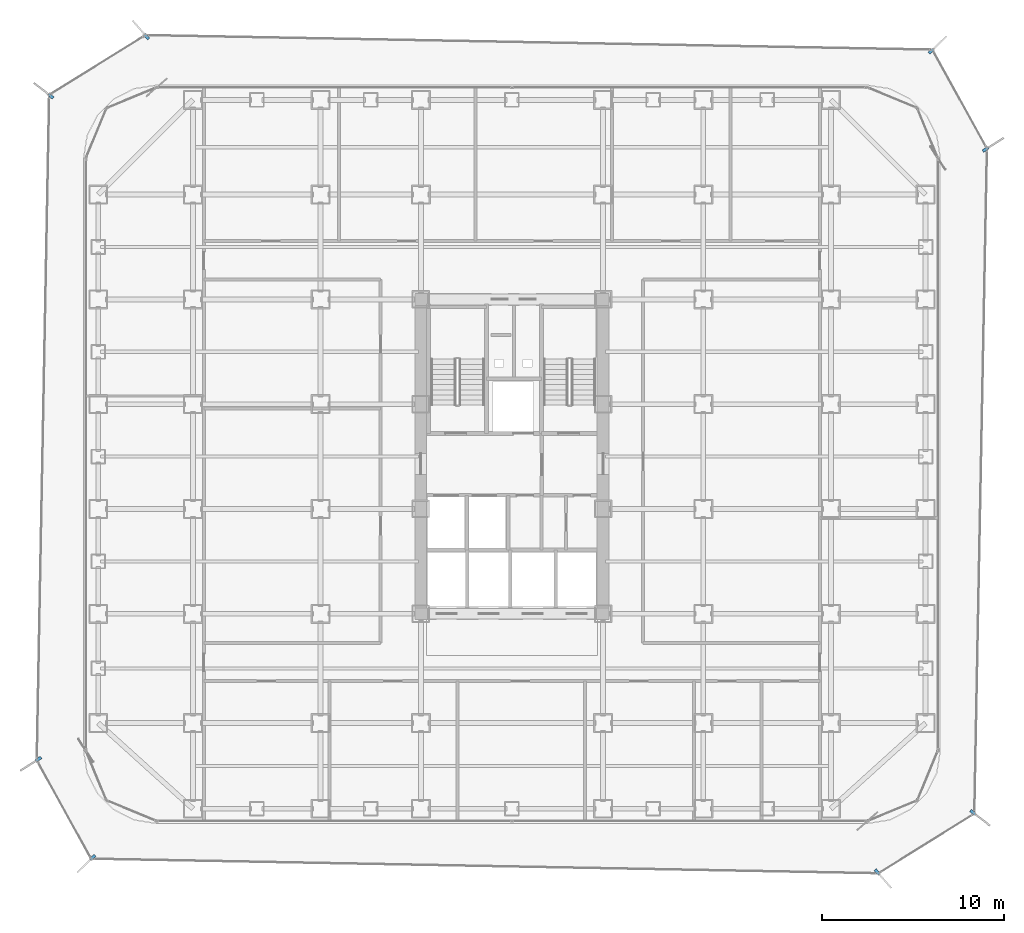
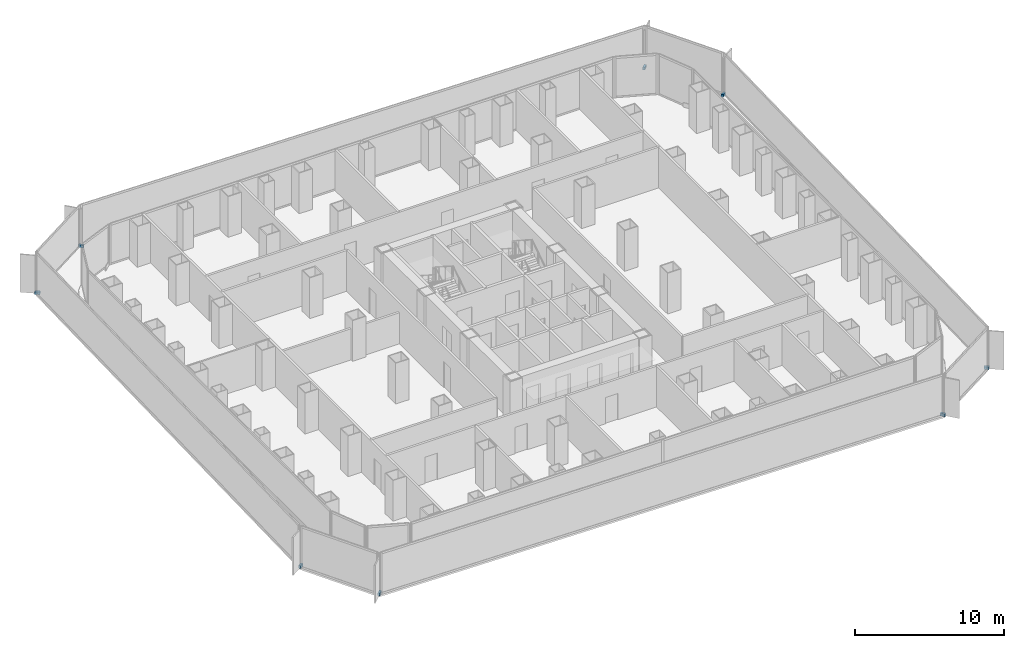
# One storey, part 19 of 22: 8 discrete accessories.
"""IFC4 building model written with IfcOpenShell, lengths in metres."""

import ifcopenshell
import ifcopenshell.guid

model = None  # the IFC model being written
_history = None  # IfcOwnerHistory: only IFC2X3 demands one
_inside = {}  # id of a spatial element -> (the spatial element, [elements in it])
_under = {}  # id of a project, library or spatial element -> (it, [spatial elements below it])
_declared = {}  # id of a project -> (the project, [libraries it declares])
_typed = {}  # id of a type object -> (the type object, [elements of that type])
_made_of = {}  # id of a material, layer set ... -> (it, [elements and type objects made of it])


def new_model(schema):
    """Start an empty IFC model of exactly this schema.

    Asked for "IFC4X3", IfcOpenShell would pick the latest addendum, in which some entities
    have other attributes; the version numbers below select the first issue.
    IFC2X3 requires an IfcOwnerHistory on every rooted entity: one is made here for all.
    """
    global model, _history
    if schema == "IFC4X3":
        model = ifcopenshell.file(schema_version=(4, 3, 0, 0))
    else:
        model = ifcopenshell.file(schema=schema)
    _inside.clear()
    _under.clear()
    _declared.clear()
    _typed.clear()
    _made_of.clear()
    _history = None
    if model.schema == "IFC2X3":
        org = make("IfcOrganization", Name="unknown")
        user = make(
            "IfcPersonAndOrganization",
            ThePerson=make("IfcPerson", FamilyName="unknown"),
            TheOrganization=org,
        )
        app = make(
            "IfcApplication",
            ApplicationDeveloper=org,
            Version="unknown",
            ApplicationFullName="unknown",
            ApplicationIdentifier="unknown",
        )
        _history = make(
            "IfcOwnerHistory",
            OwningUser=user,
            OwningApplication=app,
            ChangeAction="ADDED",
            CreationDate=0,
        )
    return model


def make(cls, **values):
    """One entity of the class cls with the attributes given. An attribute that is None is left unset."""
    return model.create_entity(
        cls, **{name: value for name, value in values.items() if value is not None}
    )


def rooted(cls, **values):
    """An entity with a GlobalId (a new one), such as an element, a storey or a relation."""
    return make(cls, GlobalId=ifcopenshell.guid.new(), OwnerHistory=_history, **values)


def si_unit(unit_type, name, prefix=None):
    """IfcSIUnit, for example si_unit("LENGTHUNIT", "METRE", prefix="MILLI")."""
    return make("IfcSIUnit", UnitType=unit_type, Prefix=prefix, Name=name)


def assignment(units):
    """IfcUnitAssignment: the units of a project."""
    return None if units is None else make("IfcUnitAssignment", Units=units)


def point(xyz):
    """IfcCartesianPoint."""
    return None if xyz is None else make("IfcCartesianPoint", Coordinates=xyz)


def direction(xyz):
    """IfcDirection."""
    return None if xyz is None else make("IfcDirection", DirectionRatios=xyz)


def frame(location, z_axis=None, x_axis=None):
    """IfcAxis2Placement3D, a coordinate frame: its origin and axes. An axis left out is left unset."""
    return make(
        "IfcAxis2Placement3D",
        Location=point(location),
        Axis=direction(z_axis),
        RefDirection=direction(x_axis),
    )


def frame_2d(location, x_axis=None):
    """IfcAxis2Placement2D, a coordinate frame in the plane: its origin and x axis."""
    return make(
        "IfcAxis2Placement2D", Location=point(location), RefDirection=direction(x_axis)
    )


def origin():
    """The frame at (0, 0, 0) with its axes left unset."""
    return frame((0.0, 0.0, 0.0))


def origin_2d():
    """The frame at (0, 0) in the plane with its x axis left unset."""
    return frame_2d((0.0, 0.0))


def place(relative_to, where):
    """IfcLocalPlacement: puts the frame where relative to a parent placement (None: the world)."""
    return make(
        "IfcLocalPlacement", PlacementRelTo=relative_to, RelativePlacement=where
    )


def context(
    kind, dimensions, precision=None, world=None, true_north=None, identifier=None
):
    """IfcGeometricRepresentationContext, for example the 3D "Model" context."""
    return make(
        "IfcGeometricRepresentationContext",
        ContextIdentifier=identifier,
        ContextType=kind,
        CoordinateSpaceDimension=dimensions,
        Precision=precision,
        WorldCoordinateSystem=world,
        TrueNorth=true_north,
    )


def subcontext(parent, identifier, kind, view, scale=None):
    """IfcGeometricRepresentationSubContext, for example "Body" below "Model"."""
    return make(
        "IfcGeometricRepresentationSubContext",
        ContextIdentifier=identifier,
        ContextType=kind,
        ParentContext=parent,
        TargetScale=scale,
        TargetView=view,
    )


def project(units=None, contexts=None):
    """IfcProject with its units and contexts."""
    return rooted(
        "IfcProject",
        Name="project",
        RepresentationContexts=contexts,
        UnitsInContext=assignment(units),
    )


def spatial(cls, under=None, at=None, **own):
    """A site, building, storey or space (cls), placed at a placement, below another one or the project."""
    s = rooted(cls, ObjectPlacement=at, **own)
    if under is not None:
        _under.setdefault(under.id(), (under, []))[1].append(s)
    return s


def profile(cls, at=None, kind="AREA", **sizes):
    """A parametric profile (cls). Its sizes go by their IFC names, for example OverallWidth=200.0."""
    return make(cls, ProfileType=kind, Position=at, **sizes)


def rectangle(**sizes):
    """IfcRectangleProfileDef."""
    return profile("IfcRectangleProfileDef", **sizes)


def extrude(swept, where, along, depth):
    """IfcExtrudedAreaSolid: the profile swept, set in the frame where, extruded along a direction by depth."""
    return make(
        "IfcExtrudedAreaSolid",
        SweptArea=swept,
        Position=where,
        ExtrudedDirection=direction(along),
        Depth=depth,
    )


def shape(context_of_items, identifier, shape_type, items):
    """IfcShapeRepresentation: the items that make up one representation, for example the "Body"."""
    return make(
        "IfcShapeRepresentation",
        ContextOfItems=context_of_items,
        RepresentationIdentifier=identifier,
        RepresentationType=shape_type,
        Items=items,
    )


def source(mapping_origin, context_of_items, identifier, shape_type, items):
    """IfcRepresentationMap: a shape defined once, which mapped items show again and again."""
    return make(
        "IfcRepresentationMap",
        MappingOrigin=mapping_origin,
        MappedRepresentation=shape(context_of_items, identifier, shape_type, items),
    )


def transform(
    local_origin,
    x_axis=None,
    y_axis=None,
    z_axis=None,
    scale=None,
    scale2=None,
    scale3=None,
    uniform=True,
):
    """IfcCartesianTransformationOperator3D, or its non-uniform kind. x_axis, y_axis, z_axis: its Axis1, 2, 3."""
    if uniform:
        return make(
            "IfcCartesianTransformationOperator3D",
            Axis1=direction(x_axis),
            Axis2=direction(y_axis),
            LocalOrigin=point(local_origin),
            Scale=scale,
            Axis3=direction(z_axis),
        )
    return make(
        "IfcCartesianTransformationOperator3DnonUniform",
        Axis1=direction(x_axis),
        Axis2=direction(y_axis),
        LocalOrigin=point(local_origin),
        Scale=scale,
        Axis3=direction(z_axis),
        Scale2=scale2,
        Scale3=scale3,
    )


def mapped(mapping_source, mapping_target):
    """IfcMappedItem: shows the shape of a source again, moved by a transform."""
    return make(
        "IfcMappedItem", MappingSource=mapping_source, MappingTarget=mapping_target
    )


def material(Name=None, Category=None):
    """IfcMaterial."""
    return make("IfcMaterial", Name=Name, Category=Category)


def made_of(thing, what):
    """Note that an element or type object is made of a material, layer set ...; save() writes the relation."""
    if what is not None:
        _made_of.setdefault(what.id(), (what, []))[1].append(thing)
    return thing


def type_object(cls, material=None, **own):
    """A type object (cls), such as IfcWallType, which elements share."""
    return made_of(rooted(cls, **own), material)


def element(
    cls,
    number,
    at=None,
    inside=None,
    cuts=None,
    type_object=None,
    material=None,
    context=None,
    identifier="Body",
    shape_type=None,
    held_by="IfcProductDefinitionShape",
    body=None,
    shapes=None,
    **own,
):
    """One element of the class cls, such as IfcWall. Its Tag is "e" and its number.

    at: its placement. inside: the storey or other place that contains it. cuts: it is an
    opening in that element (IfcRelVoidsElement). A single representation is given by context,
    identifier, shape_type and body (its items); several are given by shapes. held_by: the class
    of the entity that holds the representations. save() writes the other relations.
    """
    e = rooted(cls, Tag="e%d" % number, ObjectPlacement=at, **own)
    if body is not None:
        shapes = [shape(context, identifier, shape_type, body)]
    if shapes is not None:
        e.Representation = make(held_by, Representations=shapes)
    if inside is not None:
        _inside.setdefault(inside.id(), (inside, []))[1].append(e)
    if cuts is not None:
        rooted(
            "IfcRelVoidsElement", RelatingBuildingElement=cuts, RelatedOpeningElement=e
        )
    if type_object is not None:
        _typed.setdefault(type_object.id(), (type_object, []))[1].append(e)
    return made_of(e, material)


def aggregate(whole, parts):
    """IfcRelAggregates: a whole, such as a stair, and the parts it consists of."""
    return rooted("IfcRelAggregates", RelatingObject=whole, RelatedObjects=parts)


def save(model, path):
    """Write the relations noted so far, then the file.

    IfcRelAggregates (storeys below a building ...), IfcRelContainedInSpatialStructure (elements
    in a storey), IfcRelDefinesByType, IfcRelAssociatesMaterial and IfcRelDeclares: one each for
    every whole, place, type object, material and project.
    """
    for whole, parts in _under.values():
        aggregate(whole, parts)
    for where, things in _inside.values():
        rooted(
            "IfcRelContainedInSpatialStructure",
            RelatedElements=things,
            RelatingStructure=where,
        )
    for kind, things in _typed.values():
        rooted("IfcRelDefinesByType", RelatedObjects=things, RelatingType=kind)
    for what, things in _made_of.values():
        rooted("IfcRelAssociatesMaterial", RelatedObjects=things, RelatingMaterial=what)
    for by, libraries in _declared.values():
        rooted("IfcRelDeclares", RelatingContext=by, RelatedDefinitions=libraries)
    model.write(path)


model = new_model("IFC4")

# Units and contexts
model_context = context("Model", 3, precision=1e-05, world=origin(), true_north=direction((0.0, 1.0)))
body_context = subcontext(model_context, "Body", "Model", "MODEL_VIEW")
ifc_project = project(units=[si_unit("LENGTHUNIT", "METRE"), si_unit("AREAUNIT", "SQUARE_METRE"), si_unit("VOLUMEUNIT", "CUBIC_METRE"), si_unit("PLANEANGLEUNIT", "RADIAN"), si_unit("MASSUNIT", "GRAM", prefix="KILO")], contexts=[model_context])

# Site, building, storey
site_placement = place(None, origin())
site = spatial("IfcSite", under=ifc_project, at=site_placement, CompositionType="ELEMENT")
building_placement = place(site_placement, origin())
building = spatial("IfcBuilding", under=site, at=building_placement, Name="Kolveth Station Tower", CompositionType="ELEMENT")
storey_placement = place(building_placement, frame((0.0, 0.0, 81.0)))
storey = spatial("IfcBuildingStorey", under=building, at=storey_placement, Name="L21", CompositionType="ELEMENT", Elevation=81.0)

# Discrete accessories
ifc_material = material(Name="Steel S355", Category="steel")
discrete_accessory_type = type_object("IfcDiscreteAccessoryType", Name="Bracket_BK1", PredefinedType="BRACKET", material=ifc_material)
shared_shape = source(origin(), body_context, "Body", "SweptSolid", [
    extrude(rectangle(XDim=0.35009765625, YDim=0.159912109375, at=origin_2d()), origin(), (0.0, 0.0, 1.0), 0.219970703125),
])
for number, where, z_axis, x_axis, name in (
    (1, (43.547119140625, -2.6708984375, -0.06005859375), (0.0, 0.0, 1.0), (0.65829540632, -0.752759694735, 0.0), "L21 Double-Skin Radial Tie Bracket 1"),
    (2, (48.801025390625, 0.595947265625, -0.06005859375), (0.0, 0.0, 1.0), (0.789726930011, -0.613458536509, 0.0), "L21 Double-Skin Radial Tie Bracket 2"),
    (3, (49.489013671875, 36.97802734375, -0.06005859375), (0.0, 0.0, 1.0), (0.840850126015, 0.541268016402, 0.0), "L21 Double-Skin Radial Tie Bracket 3"),
    (4, (46.506103515625, 42.3779296875, -0.06005859375), (0.0, 0.0, 1.0), (0.720672122155, 0.693276057822, 0.0), "L21 Double-Skin Radial Tie Bracket 4"),
    (5, (3.452880859375, 43.16796875, -0.06005859375), (0.0, 0.0, 1.0), (-0.658426777644, 0.752644789048, 0.0), "L21 Double-Skin Radial Tie Bracket 5"),
    (6, (-1.805908203125, 39.906982421875, -0.06005859375), (0.0, 0.0, 1.0), (-0.789726930011, 0.613458536509, 0.0), "L21 Double-Skin Radial Tie Bracket 6"),
    (7, (-2.48193359375, 3.52294921875, -0.06005859375), (0.0, 0.0, 1.0), (-0.840850126015, -0.541268016402, 0.0), "L21 Double-Skin Radial Tie Bracket 7"),
    (8, (0.493896484375, -1.8779296875, -0.06005859375), (0.0, 0.0, 1.0), (-0.720672122155, -0.693276057822, 0.0), "L21 Double-Skin Radial Tie Bracket 8"),
):
    element("IfcDiscreteAccessory", number, at=place(storey_placement, frame(where, z_axis=z_axis, x_axis=x_axis)), inside=storey, type_object=discrete_accessory_type, Name=name, PredefinedType="BRACKET", context=body_context, shape_type="MappedRepresentation", body=[
        mapped(shared_shape, transform((0.0, 0.0, 0.0), x_axis=(1.0, 0.0, 0.0), y_axis=(0.0, 1.0, 0.0), z_axis=(0.0, 0.0, 1.0), scale=1.0)),
    ])

save(model, "model.ifc")
